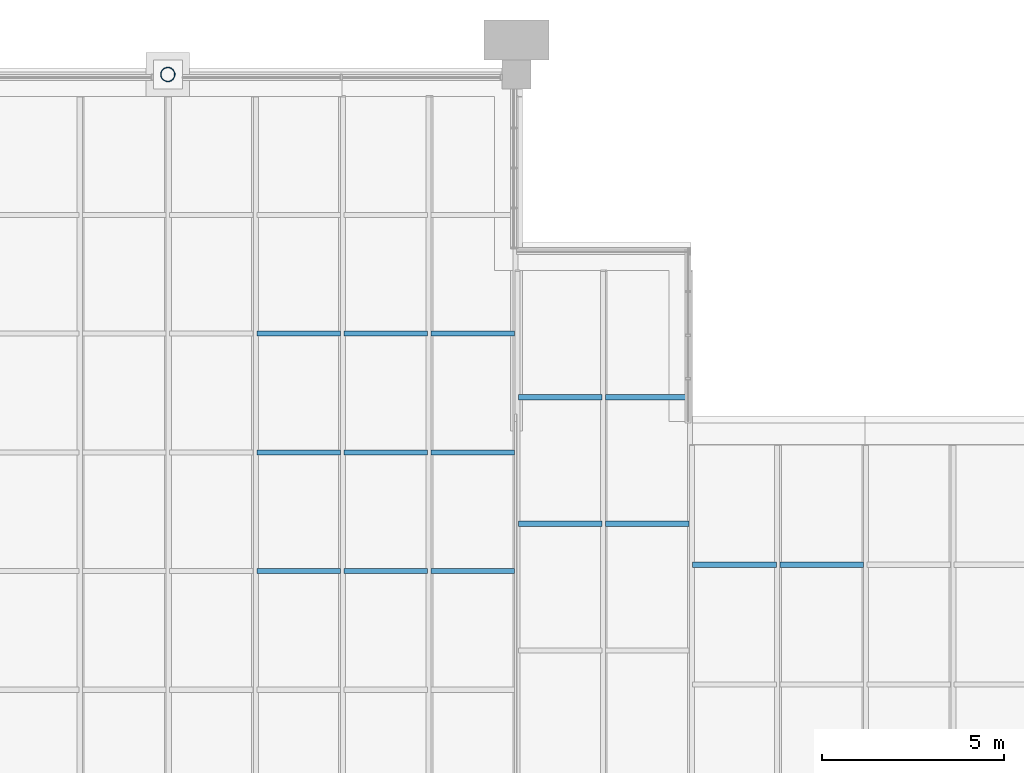
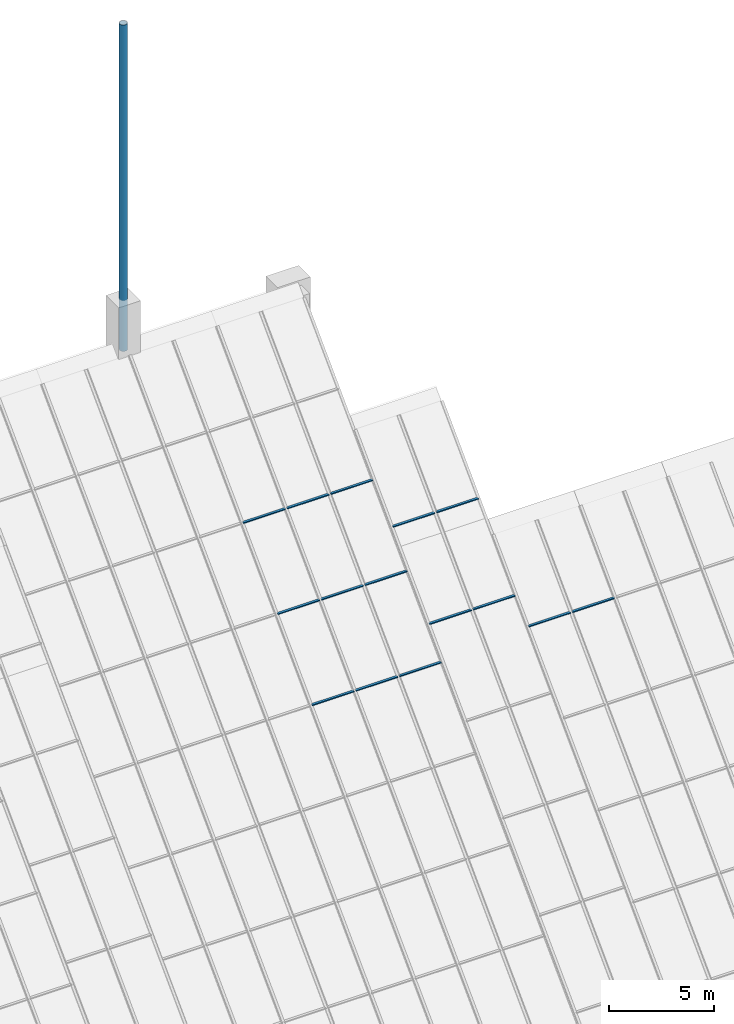
# One storey, part 11 of 25: 16 members, 7 elements without a shape of their own.
"""IFC4 building model written with IfcOpenShell, lengths in metres."""

from ifc_helpers import new_model, si_unit, direction, frame, origin, origin_2d, place, context, subcontext, project, spatial, rectangle, hollow_circle, extrude, material, material_profile, profile_set, type_object, element, aggregate, save


model = new_model("IFC4")

# Units and contexts
model_context = context("Model", 3, precision=1e-05, world=origin(), true_north=direction((0.0, 1.0)))
body_context = subcontext(model_context, "Body", "Model", "MODEL_VIEW")
ifc_project = project(units=[si_unit("LENGTHUNIT", "METRE"), si_unit("AREAUNIT", "SQUARE_METRE"), si_unit("VOLUMEUNIT", "CUBIC_METRE"), si_unit("PLANEANGLEUNIT", "RADIAN"), si_unit("MASSUNIT", "GRAM", prefix="KILO")], contexts=[model_context])

# Site, building, storey
site_placement = place(None, origin())
site = spatial("IfcSite", under=ifc_project, at=site_placement, CompositionType="ELEMENT")
building_placement = place(site_placement, origin())
building = spatial("IfcBuilding", under=site, at=building_placement, Name="Baori Bourse Tower", CompositionType="ELEMENT")
storey_placement = place(building_placement, frame((0.0, 0.0, 378.300048828125)))
storey = spatial("IfcBuildingStorey", under=building, at=storey_placement, Name="Roof", CompositionType="ELEMENT", Elevation=378.300048828125)

# Curtain wall, members
ifc_material_1 = material(Name="Pale anodised aluminium", Category="aluminium")
curtain_wall_type = type_object("IfcCurtainWallType", Name="CW4 Curtain wall", PredefinedType="NOTDEFINED", material=ifc_material_1)
curtain_wall_1_placement = place(storey_placement, origin())
curtain_wall_1 = element("IfcCurtainWall", 1, at=curtain_wall_1_placement, inside=storey, type_object=curtain_wall_type, Name="Curtain wall CW4 roof glazing 19", PredefinedType="NOTDEFINED")
ifc_material_2 = material(Name="Pale anodised aluminium", Category="aluminium")
ifc_material_profile_1 = material_profile(ifc_material_2, rectangle(XDim=0.139892578125, YDim=0.054931640625, at=origin_2d()), Name="Transom 55x140")
ifc_profile_set_1 = profile_set([ifc_material_profile_1], Name="Pale anodised aluminium")
member_type_1 = type_object("IfcMemberType", Name="CW4 Curtain wall transom", PredefinedType="USERDEFINED", material=ifc_profile_set_1)
member_1_placement = place(storey_placement, frame((31.25, 34.329345703125, 19.358154296875), z_axis=(1.0, 0.0, 0.0), x_axis=(0.0, 1.0, 0.0)))
member_1 = element("IfcMember", 2, at=member_1_placement, type_object=member_type_1, Name="Curtain wall CW4 cross bar 19.6", ObjectType="TRANSOM", PredefinedType="USERDEFINED", context=body_context, shape_type="SweptSolid", body=[
    extrude(rectangle(XDim=0.139892578125, YDim=0.054931640625, at=origin_2d()), origin(), (0.0, 0.0, 1.0), 2.300048828125),
])
member_2_placement = place(storey_placement, frame((31.25, 37.596923828125, 22.66650390625), z_axis=(1.0, 0.0, 0.0), x_axis=(0.0, 1.0, 0.0)))
member_2 = element("IfcMember", 3, at=member_2_placement, type_object=member_type_1, Name="Curtain wall CW4 cross bar 19.7", ObjectType="TRANSOM", PredefinedType="USERDEFINED", context=body_context, shape_type="SweptSolid", body=[
    extrude(rectangle(XDim=0.139892578125, YDim=0.054931640625, at=origin_2d()), origin(), (0.0, 0.0, 1.0), 2.300048828125),
])
member_3_placement = place(storey_placement, frame((31.25, 40.86474609375, 25.97509765625), z_axis=(1.0, 0.0, 0.0), x_axis=(0.0, 1.0, 0.0)))
member_3 = element("IfcMember", 4, at=member_3_placement, type_object=member_type_1, Name="Curtain wall CW4 cross bar 19.8", ObjectType="TRANSOM", PredefinedType="USERDEFINED", context=body_context, shape_type="SweptSolid", body=[
    extrude(rectangle(XDim=0.139892578125, YDim=0.054931640625, at=origin_2d()), origin(), (0.0, 0.0, 1.0), 2.300048828125),
])
aggregate(curtain_wall_1, [member_1, member_2, member_3])

curtain_wall_2_placement = place(storey_placement, origin())
curtain_wall_2 = element("IfcCurtainWall", 5, at=curtain_wall_2_placement, inside=storey, type_object=curtain_wall_type, Name="Curtain wall CW4 roof glazing 21", PredefinedType="NOTDEFINED")
member_4_placement = place(storey_placement, frame((33.64990234375, 34.329345703125, 19.358154296875), z_axis=(1.0, 0.0, 0.0), x_axis=(0.0, 1.0, 0.0)))
member_4 = element("IfcMember", 6, at=member_4_placement, type_object=member_type_1, Name="Curtain wall CW4 cross bar 21.6", ObjectType="TRANSOM", PredefinedType="USERDEFINED", context=body_context, shape_type="SweptSolid", body=[
    extrude(rectangle(XDim=0.139892578125, YDim=0.054931640625, at=origin_2d()), origin(), (0.0, 0.0, 1.0), 2.300048828125),
])
member_5_placement = place(storey_placement, frame((33.64990234375, 37.596923828125, 22.66650390625), z_axis=(1.0, 0.0, 0.0), x_axis=(0.0, 1.0, 0.0)))
member_5 = element("IfcMember", 7, at=member_5_placement, type_object=member_type_1, Name="Curtain wall CW4 cross bar 21.7", ObjectType="TRANSOM", PredefinedType="USERDEFINED", context=body_context, shape_type="SweptSolid", body=[
    extrude(rectangle(XDim=0.139892578125, YDim=0.054931640625, at=origin_2d()), origin(), (0.0, 0.0, 1.0), 2.300048828125),
])
member_6_placement = place(storey_placement, frame((33.64990234375, 40.86474609375, 25.97509765625), z_axis=(1.0, 0.0, 0.0), x_axis=(0.0, 1.0, 0.0)))
member_6 = element("IfcMember", 8, at=member_6_placement, type_object=member_type_1, Name="Curtain wall CW4 cross bar 21.8", ObjectType="TRANSOM", PredefinedType="USERDEFINED", context=body_context, shape_type="SweptSolid", body=[
    extrude(rectangle(XDim=0.139892578125, YDim=0.054931640625, at=origin_2d()), origin(), (0.0, 0.0, 1.0), 2.300048828125),
])
aggregate(curtain_wall_2, [member_4, member_5, member_6])

curtain_wall_3_placement = place(storey_placement, origin())
curtain_wall_3 = element("IfcCurtainWall", 9, at=curtain_wall_3_placement, inside=storey, type_object=curtain_wall_type, Name="Curtain wall CW4 roof glazing 23", PredefinedType="NOTDEFINED")
member_7_placement = place(storey_placement, frame((36.050048828125, 34.329345703125, 19.358154296875), z_axis=(1.0, 0.0, 0.0), x_axis=(0.0, 1.0, 0.0)))
member_7 = element("IfcMember", 10, at=member_7_placement, type_object=member_type_1, Name="Curtain wall CW4 cross bar 23.6", ObjectType="TRANSOM", PredefinedType="USERDEFINED", context=body_context, shape_type="SweptSolid", body=[
    extrude(rectangle(XDim=0.139892578125, YDim=0.054931640625, at=origin_2d()), origin(), (0.0, 0.0, 1.0), 2.300048828125),
])
member_8_placement = place(storey_placement, frame((36.050048828125, 37.596923828125, 22.66650390625), z_axis=(1.0, 0.0, 0.0), x_axis=(0.0, 1.0, 0.0)))
member_8 = element("IfcMember", 11, at=member_8_placement, type_object=member_type_1, Name="Curtain wall CW4 cross bar 23.7", ObjectType="TRANSOM", PredefinedType="USERDEFINED", context=body_context, shape_type="SweptSolid", body=[
    extrude(rectangle(XDim=0.139892578125, YDim=0.054931640625, at=origin_2d()), origin(), (0.0, 0.0, 1.0), 2.300048828125),
])
member_9_placement = place(storey_placement, frame((36.050048828125, 40.86474609375, 25.97509765625), z_axis=(1.0, 0.0, 0.0), x_axis=(0.0, 1.0, 0.0)))
member_9 = element("IfcMember", 12, at=member_9_placement, type_object=member_type_1, Name="Curtain wall CW4 cross bar 23.8", ObjectType="TRANSOM", PredefinedType="USERDEFINED", context=body_context, shape_type="SweptSolid", body=[
    extrude(rectangle(XDim=0.139892578125, YDim=0.054931640625, at=origin_2d()), origin(), (0.0, 0.0, 1.0), 2.300048828125),
])
aggregate(curtain_wall_3, [member_7, member_8, member_9])

curtain_wall_4_placement = place(storey_placement, origin())
curtain_wall_4 = element("IfcCurtainWall", 13, at=curtain_wall_4_placement, inside=storey, type_object=curtain_wall_type, Name="Curtain wall CW4 roof glazing 25", PredefinedType="NOTDEFINED")
member_10_placement = place(storey_placement, frame((38.449951171875, 35.630859375, 20.76123046875), z_axis=(1.0, 0.0, 0.0), x_axis=(0.0, 1.0, 0.0)))
member_10 = element("IfcMember", 14, at=member_10_placement, type_object=member_type_1, Name="Curtain wall CW4 cross bar 25.6", ObjectType="TRANSOM", PredefinedType="USERDEFINED", context=body_context, shape_type="SweptSolid", body=[
    extrude(rectangle(XDim=0.139892578125, YDim=0.054931640625, at=origin_2d()), origin(), (0.0, 0.0, 1.0), 2.300048828125),
])
member_11_placement = place(storey_placement, frame((38.449951171875, 39.115478515625, 24.289306640625), z_axis=(1.0, 0.0, 0.0), x_axis=(0.0, 1.0, 0.0)))
member_11 = element("IfcMember", 15, at=member_11_placement, type_object=member_type_1, Name="Curtain wall CW4 cross bar 25.7", ObjectType="TRANSOM", PredefinedType="USERDEFINED", context=body_context, shape_type="SweptSolid", body=[
    extrude(rectangle(XDim=0.139892578125, YDim=0.054931640625, at=origin_2d()), origin(), (0.0, 0.0, 1.0), 2.300048828125),
])
aggregate(curtain_wall_4, [member_10, member_11])

curtain_wall_5_placement = place(storey_placement, origin())
curtain_wall_5 = element("IfcCurtainWall", 16, at=curtain_wall_5_placement, inside=storey, type_object=curtain_wall_type, Name="Curtain wall CW4 roof glazing 27", PredefinedType="NOTDEFINED")
member_12_placement = place(storey_placement, frame((40.85009765625, 35.630859375, 20.76123046875), z_axis=(1.0, 0.0, 0.0), x_axis=(0.0, 1.0, 0.0)))
member_12 = element("IfcMember", 17, at=member_12_placement, type_object=member_type_1, Name="Curtain wall CW4 cross bar 27.6", ObjectType="TRANSOM", PredefinedType="USERDEFINED", context=body_context, shape_type="SweptSolid", body=[
    extrude(rectangle(XDim=0.139892578125, YDim=0.054931640625, at=origin_2d()), origin(), (0.0, 0.0, 1.0), 2.2998046875),
])
member_13_placement = place(storey_placement, frame((40.85009765625, 39.115478515625, 24.289306640625), z_axis=(1.0, 0.0, 0.0), x_axis=(0.0, 1.0, 0.0)))
member_13 = element("IfcMember", 18, at=member_13_placement, type_object=member_type_1, Name="Curtain wall CW4 cross bar 27.7", ObjectType="TRANSOM", PredefinedType="USERDEFINED", context=body_context, shape_type="SweptSolid", body=[
    extrude(rectangle(XDim=0.139892578125, YDim=0.054931640625, at=origin_2d()), origin(), (0.0, 0.0, 1.0), 2.2998046875),
])
aggregate(curtain_wall_5, [member_12, member_13])

# Curtain wall, member
curtain_wall_6_placement = place(storey_placement, origin())
curtain_wall_6 = element("IfcCurtainWall", 19, at=curtain_wall_6_placement, inside=storey, type_object=curtain_wall_type, Name="Curtain wall CW4 roof glazing 28", PredefinedType="NOTDEFINED")
member_14_placement = place(storey_placement, frame((43.25, 34.50341796875, 19.61962890625), z_axis=(1.0, 0.0, 0.0), x_axis=(0.0, 1.0, 0.0)))
member_14 = element("IfcMember", 20, at=member_14_placement, type_object=member_type_1, Name="Curtain wall CW4 cross bar 28.6", ObjectType="TRANSOM", PredefinedType="USERDEFINED", context=body_context, shape_type="SweptSolid", body=[
    extrude(rectangle(XDim=0.139892578125, YDim=0.054931640625, at=origin_2d()), origin(), (0.0, 0.0, 1.0), 2.300048828125),
])
aggregate(curtain_wall_6, [member_14])

curtain_wall_7_placement = place(storey_placement, origin())
curtain_wall_7 = element("IfcCurtainWall", 21, at=curtain_wall_7_placement, inside=storey, type_object=curtain_wall_type, Name="Curtain wall CW4 roof glazing 29", PredefinedType="NOTDEFINED")
member_15_placement = place(storey_placement, frame((45.64990234375, 34.50341796875, 19.61962890625), z_axis=(1.0, 0.0, 0.0), x_axis=(0.0, 1.0, 0.0)))
member_15 = element("IfcMember", 22, at=member_15_placement, type_object=member_type_1, Name="Curtain wall CW4 cross bar 29.6", ObjectType="TRANSOM", PredefinedType="USERDEFINED", context=body_context, shape_type="SweptSolid", body=[
    extrude(rectangle(XDim=0.139892578125, YDim=0.054931640625, at=origin_2d()), origin(), (0.0, 0.0, 1.0), 2.300048828125),
])
aggregate(curtain_wall_7, [member_15])

# Member
ifc_material_3 = material(Name="Steel A500 Gr C", Category="steel")
ifc_material_profile_2 = material_profile(ifc_material_3, hollow_circle(Radius=0.199951171875, WallThickness=0.01611328125, at=origin_2d()), Name="CHS 400x16")
ifc_profile_set_2 = profile_set([ifc_material_profile_2], Name="Steel A500 Gr C")
member_type_2 = type_object("IfcMemberType", Name="MS1 Lightning mast", PredefinedType="USERDEFINED", material=ifc_profile_set_2)
member_16_placement = place(storey_placement, frame((28.800048828125, 48.0, 32.581787109375), z_axis=(0.0, 0.0, 1.0), x_axis=(1.0, 0.0, 0.0)))
element("IfcMember", 23, at=member_16_placement, inside=storey, type_object=member_type_2, Name="MAST", ObjectType="MAST", PredefinedType="USERDEFINED", context=body_context, shape_type="SweptSolid", body=[
    extrude(hollow_circle(Radius=0.199951171875, WallThickness=0.01611328125, at=origin_2d()), origin(), (0.0, 0.0, 1.0), 18.93994140625),
])

save(model, "model.ifc")
